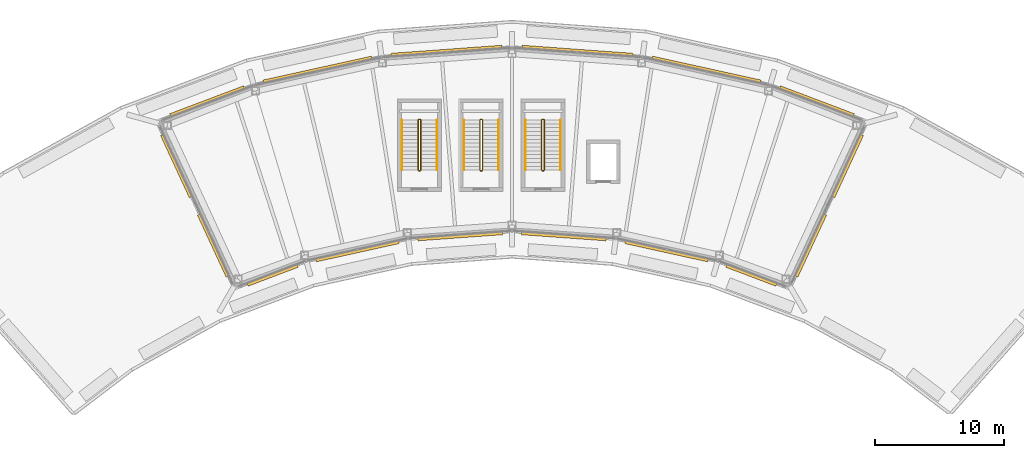
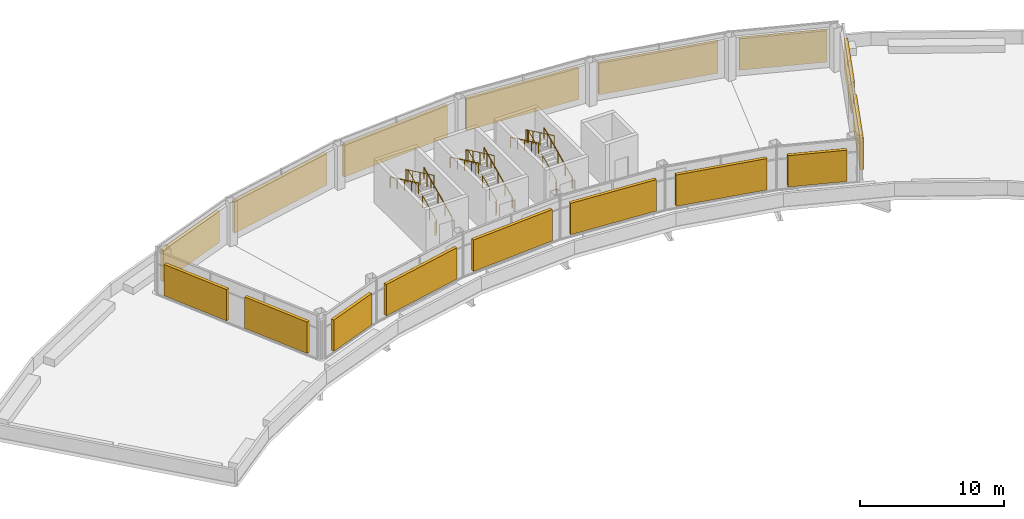
# One storey, part 8 of 9: 16 shading devices, 9 railings.
"""IFC4 building model written with IfcOpenShell, lengths in metres."""

import ifcopenshell
import ifcopenshell.guid

model = None  # the IFC model being written
_history = None  # IfcOwnerHistory: only IFC2X3 demands one
_inside = {}  # id of a spatial element -> (the spatial element, [elements in it])
_under = {}  # id of a project, library or spatial element -> (it, [spatial elements below it])
_declared = {}  # id of a project -> (the project, [libraries it declares])
_typed = {}  # id of a type object -> (the type object, [elements of that type])
_made_of = {}  # id of a material, layer set ... -> (it, [elements and type objects made of it])


def new_model(schema):
    """Start an empty IFC model of exactly this schema.

    Asked for "IFC4X3", IfcOpenShell would pick the latest addendum, in which some entities
    have other attributes; the version numbers below select the first issue.
    IFC2X3 requires an IfcOwnerHistory on every rooted entity: one is made here for all.
    """
    global model, _history
    if schema == "IFC4X3":
        model = ifcopenshell.file(schema_version=(4, 3, 0, 0))
    else:
        model = ifcopenshell.file(schema=schema)
    _inside.clear()
    _under.clear()
    _declared.clear()
    _typed.clear()
    _made_of.clear()
    _history = None
    if model.schema == "IFC2X3":
        org = make("IfcOrganization", Name="unknown")
        user = make(
            "IfcPersonAndOrganization",
            ThePerson=make("IfcPerson", FamilyName="unknown"),
            TheOrganization=org,
        )
        app = make(
            "IfcApplication",
            ApplicationDeveloper=org,
            Version="unknown",
            ApplicationFullName="unknown",
            ApplicationIdentifier="unknown",
        )
        _history = make(
            "IfcOwnerHistory",
            OwningUser=user,
            OwningApplication=app,
            ChangeAction="ADDED",
            CreationDate=0,
        )
    return model


def make(cls, **values):
    """One entity of the class cls with the attributes given. An attribute that is None is left unset."""
    return model.create_entity(
        cls, **{name: value for name, value in values.items() if value is not None}
    )


def rooted(cls, **values):
    """An entity with a GlobalId (a new one), such as an element, a storey or a relation."""
    return make(cls, GlobalId=ifcopenshell.guid.new(), OwnerHistory=_history, **values)


def si_unit(unit_type, name, prefix=None):
    """IfcSIUnit, for example si_unit("LENGTHUNIT", "METRE", prefix="MILLI")."""
    return make("IfcSIUnit", UnitType=unit_type, Prefix=prefix, Name=name)


def assignment(units):
    """IfcUnitAssignment: the units of a project."""
    return None if units is None else make("IfcUnitAssignment", Units=units)


def point(xyz):
    """IfcCartesianPoint."""
    return None if xyz is None else make("IfcCartesianPoint", Coordinates=xyz)


def direction(xyz):
    """IfcDirection."""
    return None if xyz is None else make("IfcDirection", DirectionRatios=xyz)


def frame(location, z_axis=None, x_axis=None):
    """IfcAxis2Placement3D, a coordinate frame: its origin and axes. An axis left out is left unset."""
    return make(
        "IfcAxis2Placement3D",
        Location=point(location),
        Axis=direction(z_axis),
        RefDirection=direction(x_axis),
    )


def frame_2d(location, x_axis=None):
    """IfcAxis2Placement2D, a coordinate frame in the plane: its origin and x axis."""
    return make(
        "IfcAxis2Placement2D", Location=point(location), RefDirection=direction(x_axis)
    )


def origin():
    """The frame at (0, 0, 0) with its axes left unset."""
    return frame((0.0, 0.0, 0.0))


def origin_2d():
    """The frame at (0, 0) in the plane with its x axis left unset."""
    return frame_2d((0.0, 0.0))


def place(relative_to, where):
    """IfcLocalPlacement: puts the frame where relative to a parent placement (None: the world)."""
    return make(
        "IfcLocalPlacement", PlacementRelTo=relative_to, RelativePlacement=where
    )


def context(
    kind, dimensions, precision=None, world=None, true_north=None, identifier=None
):
    """IfcGeometricRepresentationContext, for example the 3D "Model" context."""
    return make(
        "IfcGeometricRepresentationContext",
        ContextIdentifier=identifier,
        ContextType=kind,
        CoordinateSpaceDimension=dimensions,
        Precision=precision,
        WorldCoordinateSystem=world,
        TrueNorth=true_north,
    )


def subcontext(parent, identifier, kind, view, scale=None):
    """IfcGeometricRepresentationSubContext, for example "Body" below "Model"."""
    return make(
        "IfcGeometricRepresentationSubContext",
        ContextIdentifier=identifier,
        ContextType=kind,
        ParentContext=parent,
        TargetScale=scale,
        TargetView=view,
    )


def project(units=None, contexts=None):
    """IfcProject with its units and contexts."""
    return rooted(
        "IfcProject",
        Name="project",
        RepresentationContexts=contexts,
        UnitsInContext=assignment(units),
    )


def spatial(cls, under=None, at=None, **own):
    """A site, building, storey or space (cls), placed at a placement, below another one or the project."""
    s = rooted(cls, ObjectPlacement=at, **own)
    if under is not None:
        _under.setdefault(under.id(), (under, []))[1].append(s)
    return s


def profile(cls, at=None, kind="AREA", **sizes):
    """A parametric profile (cls). Its sizes go by their IFC names, for example OverallWidth=200.0."""
    return make(cls, ProfileType=kind, Position=at, **sizes)


def rectangle(**sizes):
    """IfcRectangleProfileDef."""
    return profile("IfcRectangleProfileDef", **sizes)


def circle(**sizes):
    """IfcCircleProfileDef."""
    return profile("IfcCircleProfileDef", **sizes)


def extrude(swept, where, along, depth):
    """IfcExtrudedAreaSolid: the profile swept, set in the frame where, extruded along a direction by depth."""
    return make(
        "IfcExtrudedAreaSolid",
        SweptArea=swept,
        Position=where,
        ExtrudedDirection=direction(along),
        Depth=depth,
    )


def shape(context_of_items, identifier, shape_type, items):
    """IfcShapeRepresentation: the items that make up one representation, for example the "Body"."""
    return make(
        "IfcShapeRepresentation",
        ContextOfItems=context_of_items,
        RepresentationIdentifier=identifier,
        RepresentationType=shape_type,
        Items=items,
    )


def material(Name=None, Category=None):
    """IfcMaterial."""
    return make("IfcMaterial", Name=Name, Category=Category)


def made_of(thing, what):
    """Note that an element or type object is made of a material, layer set ...; save() writes the relation."""
    if what is not None:
        _made_of.setdefault(what.id(), (what, []))[1].append(thing)
    return thing


def type_object(cls, material=None, **own):
    """A type object (cls), such as IfcWallType, which elements share."""
    return made_of(rooted(cls, **own), material)


def element(
    cls,
    number,
    at=None,
    inside=None,
    cuts=None,
    type_object=None,
    material=None,
    context=None,
    identifier="Body",
    shape_type=None,
    held_by="IfcProductDefinitionShape",
    body=None,
    shapes=None,
    **own,
):
    """One element of the class cls, such as IfcWall. Its Tag is "e" and its number.

    at: its placement. inside: the storey or other place that contains it. cuts: it is an
    opening in that element (IfcRelVoidsElement). A single representation is given by context,
    identifier, shape_type and body (its items); several are given by shapes. held_by: the class
    of the entity that holds the representations. save() writes the other relations.
    """
    e = rooted(cls, Tag="e%d" % number, ObjectPlacement=at, **own)
    if body is not None:
        shapes = [shape(context, identifier, shape_type, body)]
    if shapes is not None:
        e.Representation = make(held_by, Representations=shapes)
    if inside is not None:
        _inside.setdefault(inside.id(), (inside, []))[1].append(e)
    if cuts is not None:
        rooted(
            "IfcRelVoidsElement", RelatingBuildingElement=cuts, RelatedOpeningElement=e
        )
    if type_object is not None:
        _typed.setdefault(type_object.id(), (type_object, []))[1].append(e)
    return made_of(e, material)


def aggregate(whole, parts):
    """IfcRelAggregates: a whole, such as a stair, and the parts it consists of."""
    return rooted("IfcRelAggregates", RelatingObject=whole, RelatedObjects=parts)


def save(model, path):
    """Write the relations noted so far, then the file.

    IfcRelAggregates (storeys below a building ...), IfcRelContainedInSpatialStructure (elements
    in a storey), IfcRelDefinesByType, IfcRelAssociatesMaterial and IfcRelDeclares: one each for
    every whole, place, type object, material and project.
    """
    for whole, parts in _under.values():
        aggregate(whole, parts)
    for where, things in _inside.values():
        rooted(
            "IfcRelContainedInSpatialStructure",
            RelatedElements=things,
            RelatingStructure=where,
        )
    for kind, things in _typed.values():
        rooted("IfcRelDefinesByType", RelatedObjects=things, RelatingType=kind)
    for what, things in _made_of.values():
        rooted("IfcRelAssociatesMaterial", RelatedObjects=things, RelatingMaterial=what)
    for by, libraries in _declared.values():
        rooted("IfcRelDeclares", RelatingContext=by, RelatedDefinitions=libraries)
    model.write(path)


model = new_model("IFC4")

# Units and contexts
model_context = context("Model", 3, precision=1e-05, world=origin(), true_north=direction((0.0, 1.0)))
body_context = subcontext(model_context, "Body", "Model", "MODEL_VIEW")
ifc_project = project(units=[si_unit("LENGTHUNIT", "METRE"), si_unit("AREAUNIT", "SQUARE_METRE"), si_unit("VOLUMEUNIT", "CUBIC_METRE"), si_unit("PLANEANGLEUNIT", "RADIAN"), si_unit("MASSUNIT", "GRAM", prefix="KILO")], contexts=[model_context])

# Site, building, storey
site_placement = place(None, origin())
site = spatial("IfcSite", under=ifc_project, at=site_placement, CompositionType="ELEMENT")
building_placement = place(site_placement, origin())
building = spatial("IfcBuilding", under=site, at=building_placement, Name="Tuul Gate Civic Tower", CompositionType="ELEMENT")
storey_placement = place(building_placement, frame((0.0, 0.0, 368.10009765625)))
storey = spatial("IfcBuildingStorey", under=building, at=storey_placement, Name="Crown tier 2 lower", CompositionType="ELEMENT", Elevation=368.10009765625)

# Shading devices
ifc_material_1 = material(Name="Aluminium louvre", Category="aluminium")
shading_device_type = type_object("IfcShadingDeviceType", Name="Louvre panel", PredefinedType="USERDEFINED", material=ifc_material_1)
shading_device_1_placement = place(storey_placement, frame((25.8916015625, 6.10498046875, 0.300048828125), z_axis=(0.0, 0.0, 1.0), x_axis=(0.353645993643, 0.935379340792, 0.0)))
element("IfcShadingDevice", 1, at=shading_device_1_placement, inside=storey, type_object=shading_device_type, Name="Louvre panel", ObjectType="LOUVRE", PredefinedType="USERDEFINED", context=body_context, shape_type="SweptSolid", body=[
    extrude(rectangle(XDim=0.25, YDim=6.14990234375, at=origin_2d()), origin(), (0.0, 0.0, 1.0), 2.64990234375),
])
for number, where, z_axis, x_axis, name in (
    (2, (17.31787109375, 8.5625, 0.300048828125), (0.0, 0.0, 1.0), (0.215210934562, 0.976567587853, 0.0), "Louvre panel"),
    (3, (7.26953125, 10.025634765625, 0.300048828125), (0.0, 0.0, 1.0), (0.072218938697, 0.997388803273, 0.0), "Louvre panel"),
    (4, (-2.885498046875, 10.025634765625, 0.300048828125), (0.0, 0.0, 1.0), (-0.072218938697, 0.997388803273, 0.0), "Louvre panel"),
    (5, (-12.933837890625, 8.5625, 0.300048828125), (0.0, 0.0, 1.0), (-0.215210934562, 0.976567587853, 0.0), "Louvre panel"),
):
    element("IfcShadingDevice", number, at=place(storey_placement, frame(where, z_axis=z_axis, x_axis=x_axis)), inside=storey, type_object=shading_device_type, Name=name, ObjectType="LOUVRE", PredefinedType="USERDEFINED", context=body_context, shape_type="SweptSolid", body=[
        extrude(rectangle(XDim=0.25, YDim=8.64990234375, at=origin_2d()), origin(), (0.0, 0.0, 1.0), 2.64990234375),
    ])
shading_device_2_placement = place(storey_placement, frame((-21.5078125, 6.10498046875, 0.300048828125), z_axis=(0.0, 0.0, 1.0), x_axis=(-0.353645993643, 0.935379340792, 0.0)))
element("IfcShadingDevice", 6, at=shading_device_2_placement, inside=storey, type_object=shading_device_type, Name="Louvre panel", ObjectType="LOUVRE", PredefinedType="USERDEFINED", context=body_context, shape_type="SweptSolid", body=[
    extrude(rectangle(XDim=0.25, YDim=6.14990234375, at=origin_2d()), origin(), (0.0, 0.0, 1.0), 2.64990234375),
])
for number, where, z_axis, x_axis, name in (
    (7, (-23.904296875, 1.076416015625, 0.300048828125), (0.0, 0.0, 1.0), (-0.90734881659, -0.420378549682, 0.0), "Louvre panel"),
    (8, (-21.038330078125, -5.109619140625, 0.300048828125), (0.0, 0.0, 1.0), (-0.90734881659, -0.420378549682, 0.0), "Louvre panel"),
):
    element("IfcShadingDevice", number, at=place(storey_placement, frame(where, z_axis=z_axis, x_axis=x_axis)), inside=storey, type_object=shading_device_type, Name=name, ObjectType="LOUVRE", PredefinedType="USERDEFINED", context=body_context, shape_type="SweptSolid", body=[
        extrude(rectangle(XDim=0.25, YDim=5.300048828125, at=origin_2d()), origin(), (0.0, 0.0, 1.0), 2.64990234375),
    ])
shading_device_3_placement = place(storey_placement, frame((-16.417236328125, -7.4189453125, 0.300048828125), z_axis=(0.0, 0.0, 1.0), x_axis=(0.353692000454, -0.935361945353, 0.0)))
element("IfcShadingDevice", 9, at=shading_device_3_placement, inside=storey, type_object=shading_device_type, Name="Louvre panel", ObjectType="LOUVRE", PredefinedType="USERDEFINED", context=body_context, shape_type="SweptSolid", body=[
    extrude(rectangle(XDim=0.25, YDim=4.14990234375, at=origin_2d()), origin(), (0.0, 0.0, 1.0), 2.64990234375),
])
for number, where, z_axis, x_axis, name in (
    (10, (-9.823974609375, -5.548583984375, 0.300048828125), (0.0, 0.0, 1.0), (0.215271253351, -0.976554293156, 0.0), "Louvre panel"),
    (11, (-1.841552734375, -4.38623046875, 0.300048828125), (0.0, 0.0, 1.0), (0.072167548057, -0.997392523036, 0.0), "Louvre panel"),
    (12, (6.2255859375, -4.38623046875, 0.300048828125), (0.0, 0.0, 1.0), (-0.072167548057, -0.997392523036, 0.0), "Louvre panel"),
    (13, (14.2080078125, -5.548583984375, 0.300048828125), (0.0, 0.0, 1.0), (-0.215271253351, -0.976554293156, 0.0), "Louvre panel"),
):
    element("IfcShadingDevice", number, at=place(storey_placement, frame(where, z_axis=z_axis, x_axis=x_axis)), inside=storey, type_object=shading_device_type, Name=name, ObjectType="LOUVRE", PredefinedType="USERDEFINED", context=body_context, shape_type="SweptSolid", body=[
        extrude(rectangle(XDim=0.25, YDim=6.60009765625, at=origin_2d()), origin(), (0.0, 0.0, 1.0), 2.64990234375),
    ])
shading_device_4_placement = place(storey_placement, frame((20.80126953125, -7.4189453125, 0.300048828125), z_axis=(0.0, 0.0, 1.0), x_axis=(-0.353692000454, -0.935361945353, 0.0)))
element("IfcShadingDevice", 14, at=shading_device_4_placement, inside=storey, type_object=shading_device_type, Name="Louvre panel", ObjectType="LOUVRE", PredefinedType="USERDEFINED", context=body_context, shape_type="SweptSolid", body=[
    extrude(rectangle(XDim=0.25, YDim=4.14990234375, at=origin_2d()), origin(), (0.0, 0.0, 1.0), 2.64990234375),
])
for number, where, z_axis, x_axis, name in (
    (15, (25.42236328125, -5.109619140625, 0.300048828125), (0.0, 0.0, 1.0), (0.90734881659, -0.420378549682, 0.0), "Louvre panel"),
    (16, (28.288330078125, 1.076416015625, 0.300048828125), (0.0, 0.0, 1.0), (0.90734881659, -0.420378549682, 0.0), "Louvre panel"),
):
    element("IfcShadingDevice", number, at=place(storey_placement, frame(where, z_axis=z_axis, x_axis=x_axis)), inside=storey, type_object=shading_device_type, Name=name, ObjectType="LOUVRE", PredefinedType="USERDEFINED", context=body_context, shape_type="SweptSolid", body=[
        extrude(rectangle(XDim=0.25, YDim=5.300048828125, at=origin_2d()), origin(), (0.0, 0.0, 1.0), 2.64990234375),
    ])

# Railings
ifc_material_2 = material(Name="Painted steel", Category="steel")
railing_type_1 = type_object("IfcRailingType", Name="Stair guard", PredefinedType="GUARDRAIL", material=ifc_material_2)
railing_1_placement = place(storey_placement, frame((-4.949951171875, 0.699951171875, 0.0)))
element("IfcRailing", 17, at=railing_1_placement, inside=storey, type_object=railing_type_1, Name="Crown tier 2 lower ST-5 stair guard 1", PredefinedType="GUARDRAIL", context=body_context, shape_type="SweptSolid", body=[
    extrude(circle(Radius=0.02392578125, at=origin_2d()), frame((0.0, 0.0, 1.076171875), z_axis=(-1.0, 0.0, 0.0), x_axis=(0.0, -1.0, 0.0)), (0.0, 0.0, 1.0), 0.10009765625),
    extrude(circle(Radius=0.02392578125, at=origin_2d()), frame((-0.10009765625, 0.0, 1.076171875), z_axis=(0.704307497325, 0.234769165775, 0.669951034041), x_axis=(-0.316227766017, 0.948683298051, 0.0)), (0.0, 0.0, 1.0), 0.213134765625),
    extrude(circle(Radius=0.02392578125, at=origin_2d()), frame((0.050048828125, 0.050048828125, 1.21875), z_axis=(0.0, 0.902853205547, 0.429948937937), x_axis=(-1.0, 0.0, 0.0)), (0.0, 0.0, 1.0), 4.319580078125),
    extrude(circle(Radius=0.02392578125, at=origin_2d()), frame((0.050048828125, 3.949951171875, 3.076171875), z_axis=(-0.707106781187, 0.707106781187, 0.0), x_axis=(-0.707106781187, -0.707106781187, 0.0)), (0.0, 0.0, 1.0), 0.07080078125),
    extrude(circle(Radius=0.02392578125, at=origin_2d()), frame((0.0, 4.0, 3.076171875), z_axis=(-1.0, 0.0, 0.0), x_axis=(0.0, -1.0, 0.0)), (0.0, 0.0, 1.0), 0.10009765625),
    extrude(circle(Radius=0.02392578125, at=origin_2d()), frame((-0.10009765625, 4.0, 3.076171875), z_axis=(-0.313985020601, -0.313985020601, 0.896006034397), x_axis=(0.707106781187, -0.707106781187, 0.0)), (0.0, 0.0, 1.0), 0.159423828125),
    extrude(circle(Radius=0.02392578125, at=origin_2d()), frame((-0.150146484375, 3.949951171875, 3.21875), z_axis=(0.0, -0.902853205547, 0.429948937937), x_axis=(1.0, 0.0, 0.0)), (0.0, 0.0, 1.0), 4.319580078125),
    extrude(circle(Radius=0.02099609375, at=origin_2d()), origin(), (0.0, 0.0, 1.0), 1.052001953125),
    extrude(circle(Radius=0.02099609375, at=origin_2d()), frame((-0.10009765625, 0.0, 0.0)), (0.0, 0.0, 1.0), 1.052001953125),
    extrude(circle(Radius=0.02099609375, at=origin_2d()), frame((0.050048828125, 0.050048828125, 0.142822265625)), (0.0, 0.0, 1.0), 1.052001953125),
    extrude(circle(Radius=0.02099609375, at=origin_2d()), frame((0.050048828125, 1.02490234375, 0.607177734375)), (0.0, 0.0, 1.0), 1.052001953125),
    extrude(circle(Radius=0.02099609375, at=origin_2d()), frame((0.050048828125, 2.0, 1.0712890625)), (0.0, 0.0, 1.0), 1.052001953125),
    extrude(circle(Radius=0.02099609375, at=origin_2d()), frame((0.050048828125, 2.97509765625, 1.53564453125)), (0.0, 0.0, 1.0), 1.052001953125),
    extrude(circle(Radius=0.02099609375, at=origin_2d()), frame((0.050048828125, 3.949951171875, 2.0)), (0.0, 0.0, 1.0), 1.052001953125),
    extrude(circle(Radius=0.02099609375, at=origin_2d()), frame((0.0, 4.0, 2.0)), (0.0, 0.0, 1.0), 1.052001953125),
    extrude(circle(Radius=0.02099609375, at=origin_2d()), frame((-0.10009765625, 4.0, 2.0)), (0.0, 0.0, 1.0), 1.052001953125),
    extrude(circle(Radius=0.02099609375, at=origin_2d()), frame((-0.150146484375, 3.949951171875, 2.142822265625)), (0.0, 0.0, 1.0), 1.052001953125),
    extrude(circle(Radius=0.02099609375, at=origin_2d()), frame((-0.150146484375, 2.97509765625, 2.607177734375)), (0.0, 0.0, 1.0), 1.052001953125),
    extrude(circle(Radius=0.02099609375, at=origin_2d()), frame((-0.150146484375, 2.0, 3.0712890625)), (0.0, 0.0, 1.0), 1.052001953125),
    extrude(circle(Radius=0.02099609375, at=origin_2d()), frame((-0.150146484375, 1.02490234375, 3.53564453125)), (0.0, 0.0, 1.0), 1.052001953125),
    extrude(circle(Radius=0.02099609375, at=origin_2d()), frame((-0.150146484375, 0.050048828125, 4.0)), (0.0, 0.0, 1.0), 1.052001953125),
])
railing_2_placement = place(storey_placement, frame((-0.14990234375, 0.699951171875, 0.0)))
element("IfcRailing", 18, at=railing_2_placement, inside=storey, type_object=railing_type_1, Name="Crown tier 2 lower ST-6 stair guard 1", PredefinedType="GUARDRAIL", context=body_context, shape_type="SweptSolid", body=[
    extrude(circle(Radius=0.02392578125, at=origin_2d()), frame((0.0, 0.0, 1.076171875), z_axis=(-1.0, 0.0, 0.0), x_axis=(0.0, -1.0, 0.0)), (0.0, 0.0, 1.0), 0.10009765625),
    extrude(circle(Radius=0.02392578125, at=origin_2d()), frame((-0.10009765625, 0.0, 1.076171875), z_axis=(0.703729666097, 0.234958601873, 0.670491619978), x_axis=(-0.316691178788, 0.948528701346, 0.0)), (0.0, 0.0, 1.0), 0.212890625),
    extrude(circle(Radius=0.02392578125, at=origin_2d()), frame((0.0498046875, 0.050048828125, 1.21875), z_axis=(0.0, 0.902853205547, 0.429948937937), x_axis=(-1.0, 0.0, 0.0)), (0.0, 0.0, 1.0), 4.319580078125),
    extrude(circle(Radius=0.02392578125, at=origin_2d()), frame((0.0498046875, 3.949951171875, 3.076171875), z_axis=(-0.705375805398, 0.708833529934, 0.0), x_axis=(-0.708833529934, -0.705375805398, 0.0)), (0.0, 0.0, 1.0), 0.070556640625),
    extrude(circle(Radius=0.02392578125, at=origin_2d()), frame((0.0, 4.0, 3.076171875), z_axis=(-1.0, 0.0, 0.0), x_axis=(0.0, -1.0, 0.0)), (0.0, 0.0, 1.0), 0.10009765625),
    extrude(circle(Radius=0.02392578125, at=origin_2d()), frame((-0.10009765625, 4.0, 3.076171875), z_axis=(-0.313985020601, -0.313985020601, 0.896006034397), x_axis=(0.707106781187, -0.707106781187, 0.0)), (0.0, 0.0, 1.0), 0.159423828125),
    extrude(circle(Radius=0.02392578125, at=origin_2d()), frame((-0.150146484375, 3.949951171875, 3.21875), z_axis=(0.0, -0.902853205547, 0.429948937937), x_axis=(1.0, 0.0, 0.0)), (0.0, 0.0, 1.0), 4.319580078125),
    extrude(circle(Radius=0.02099609375, at=origin_2d()), origin(), (0.0, 0.0, 1.0), 1.052001953125),
    extrude(circle(Radius=0.02099609375, at=origin_2d()), frame((-0.10009765625, 0.0, 0.0)), (0.0, 0.0, 1.0), 1.052001953125),
    extrude(circle(Radius=0.02099609375, at=origin_2d()), frame((0.0498046875, 0.050048828125, 0.142822265625)), (0.0, 0.0, 1.0), 1.052001953125),
    extrude(circle(Radius=0.02099609375, at=origin_2d()), frame((0.0498046875, 1.02490234375, 0.607177734375)), (0.0, 0.0, 1.0), 1.052001953125),
    extrude(circle(Radius=0.02099609375, at=origin_2d()), frame((0.0498046875, 2.0, 1.0712890625)), (0.0, 0.0, 1.0), 1.052001953125),
    extrude(circle(Radius=0.02099609375, at=origin_2d()), frame((0.0498046875, 2.97509765625, 1.53564453125)), (0.0, 0.0, 1.0), 1.052001953125),
    extrude(circle(Radius=0.02099609375, at=origin_2d()), frame((0.0498046875, 3.949951171875, 2.0)), (0.0, 0.0, 1.0), 1.052001953125),
    extrude(circle(Radius=0.02099609375, at=origin_2d()), frame((0.0, 4.0, 2.0)), (0.0, 0.0, 1.0), 1.052001953125),
    extrude(circle(Radius=0.02099609375, at=origin_2d()), frame((-0.10009765625, 4.0, 2.0)), (0.0, 0.0, 1.0), 1.052001953125),
    extrude(circle(Radius=0.02099609375, at=origin_2d()), frame((-0.150146484375, 3.949951171875, 2.142822265625)), (0.0, 0.0, 1.0), 1.052001953125),
    extrude(circle(Radius=0.02099609375, at=origin_2d()), frame((-0.150146484375, 2.97509765625, 2.607177734375)), (0.0, 0.0, 1.0), 1.052001953125),
    extrude(circle(Radius=0.02099609375, at=origin_2d()), frame((-0.150146484375, 2.0, 3.0712890625)), (0.0, 0.0, 1.0), 1.052001953125),
    extrude(circle(Radius=0.02099609375, at=origin_2d()), frame((-0.150146484375, 1.02490234375, 3.53564453125)), (0.0, 0.0, 1.0), 1.052001953125),
    extrude(circle(Radius=0.02099609375, at=origin_2d()), frame((-0.150146484375, 0.050048828125, 4.0)), (0.0, 0.0, 1.0), 1.052001953125),
])
railing_3_placement = place(storey_placement, frame((4.64990234375, 0.699951171875, 0.0)))
element("IfcRailing", 19, at=railing_3_placement, inside=storey, type_object=railing_type_1, Name="Crown tier 2 lower ST-7 stair guard 1", PredefinedType="GUARDRAIL", context=body_context, shape_type="SweptSolid", body=[
    extrude(circle(Radius=0.02392578125, at=origin_2d()), frame((0.0, 0.0, 1.076171875), z_axis=(-1.0, 0.0, 0.0), x_axis=(0.0, -1.0, 0.0)), (0.0, 0.0, 1.0), 0.099853515625),
    extrude(circle(Radius=0.02392578125, at=origin_2d()), frame((-0.099853515625, 0.0, 1.076171875), z_axis=(0.703729666097, 0.234958601873, 0.670491619978), x_axis=(-0.316691178788, 0.948528701346, 0.0)), (0.0, 0.0, 1.0), 0.212890625),
    extrude(circle(Radius=0.02392578125, at=origin_2d()), frame((0.050048828125, 0.050048828125, 1.21875), z_axis=(0.0, 0.902853205547, 0.429948937937), x_axis=(-1.0, 0.0, 0.0)), (0.0, 0.0, 1.0), 4.319580078125),
    extrude(circle(Radius=0.02392578125, at=origin_2d()), frame((0.050048828125, 3.949951171875, 3.076171875), z_axis=(-0.707106781187, 0.707106781187, 0.0), x_axis=(-0.707106781187, -0.707106781187, 0.0)), (0.0, 0.0, 1.0), 0.07080078125),
    extrude(circle(Radius=0.02392578125, at=origin_2d()), frame((0.0, 4.0, 3.076171875), z_axis=(-1.0, 0.0, 0.0), x_axis=(0.0, -1.0, 0.0)), (0.0, 0.0, 1.0), 0.099853515625),
    extrude(circle(Radius=0.02392578125, at=origin_2d()), frame((-0.099853515625, 4.0, 3.076171875), z_axis=(-0.313985020601, -0.313985020601, 0.896006034397), x_axis=(0.707106781187, -0.707106781187, 0.0)), (0.0, 0.0, 1.0), 0.159423828125),
    extrude(circle(Radius=0.02392578125, at=origin_2d()), frame((-0.14990234375, 3.949951171875, 3.21875), z_axis=(0.0, -0.902853205547, 0.429948937937), x_axis=(1.0, 0.0, 0.0)), (0.0, 0.0, 1.0), 4.319580078125),
    extrude(circle(Radius=0.02099609375, at=origin_2d()), origin(), (0.0, 0.0, 1.0), 1.052001953125),
    extrude(circle(Radius=0.02099609375, at=origin_2d()), frame((-0.099853515625, 0.0, 0.0)), (0.0, 0.0, 1.0), 1.052001953125),
    extrude(circle(Radius=0.02099609375, at=origin_2d()), frame((0.050048828125, 0.050048828125, 0.142822265625)), (0.0, 0.0, 1.0), 1.052001953125),
    extrude(circle(Radius=0.02099609375, at=origin_2d()), frame((0.050048828125, 1.02490234375, 0.607177734375)), (0.0, 0.0, 1.0), 1.052001953125),
    extrude(circle(Radius=0.02099609375, at=origin_2d()), frame((0.050048828125, 2.0, 1.0712890625)), (0.0, 0.0, 1.0), 1.052001953125),
    extrude(circle(Radius=0.02099609375, at=origin_2d()), frame((0.050048828125, 2.97509765625, 1.53564453125)), (0.0, 0.0, 1.0), 1.052001953125),
    extrude(circle(Radius=0.02099609375, at=origin_2d()), frame((0.050048828125, 3.949951171875, 2.0)), (0.0, 0.0, 1.0), 1.052001953125),
    extrude(circle(Radius=0.02099609375, at=origin_2d()), frame((0.0, 4.0, 2.0)), (0.0, 0.0, 1.0), 1.052001953125),
    extrude(circle(Radius=0.02099609375, at=origin_2d()), frame((-0.099853515625, 4.0, 2.0)), (0.0, 0.0, 1.0), 1.052001953125),
    extrude(circle(Radius=0.02099609375, at=origin_2d()), frame((-0.14990234375, 3.949951171875, 2.142822265625)), (0.0, 0.0, 1.0), 1.052001953125),
    extrude(circle(Radius=0.02099609375, at=origin_2d()), frame((-0.14990234375, 2.97509765625, 2.607177734375)), (0.0, 0.0, 1.0), 1.052001953125),
    extrude(circle(Radius=0.02099609375, at=origin_2d()), frame((-0.14990234375, 2.0, 3.0712890625)), (0.0, 0.0, 1.0), 1.052001953125),
    extrude(circle(Radius=0.02099609375, at=origin_2d()), frame((-0.14990234375, 1.02490234375, 3.53564453125)), (0.0, 0.0, 1.0), 1.052001953125),
    extrude(circle(Radius=0.02099609375, at=origin_2d()), frame((-0.14990234375, 0.050048828125, 4.0)), (0.0, 0.0, 1.0), 1.052001953125),
])
ifc_material_3 = material(Name="Painted steel", Category="steel")
railing_type_2 = type_object("IfcRailingType", Name="Stair handrail", PredefinedType="HANDRAIL", material=ifc_material_3)
railing_4_placement = place(storey_placement, frame((-3.64990234375, 0.75, 0.142822265625)))
element("IfcRailing", 20, at=railing_4_placement, inside=storey, type_object=railing_type_2, Name="Crown tier 2 lower ST-5 stair handrail 1", PredefinedType="HANDRAIL", context=body_context, shape_type="SweptSolid", body=[
    extrude(circle(Radius=0.02392578125, at=origin_2d()), frame((0.0, 0.0, 0.8759765625), z_axis=(0.0, 0.902853205547, 0.429948937937), x_axis=(-1.0, 0.0, 0.0)), (0.0, 0.0, 1.0), 4.319580078125),
    extrude(circle(Radius=0.02099609375, at=origin_2d()), origin(), (0.0, 0.0, 1.0), 0.851806640625),
    extrude(circle(Radius=0.02099609375, at=origin_2d()), frame((0.0, 0.97509765625, 0.46435546875)), (0.0, 0.0, 1.0), 0.851806640625),
    extrude(circle(Radius=0.02099609375, at=origin_2d()), frame((0.0, 1.949951171875, 0.9287109375)), (0.0, 0.0, 1.0), 0.851806640625),
    extrude(circle(Radius=0.02099609375, at=origin_2d()), frame((0.0, 2.9248046875, 1.392822265625)), (0.0, 0.0, 1.0), 0.851806640625),
    extrude(circle(Radius=0.02099609375, at=origin_2d()), frame((0.0, 3.89990234375, 1.857177734375)), (0.0, 0.0, 1.0), 0.851806640625),
])
railing_5_placement = place(storey_placement, frame((-6.35009765625, 4.64990234375, 2.142822265625)))
element("IfcRailing", 21, at=railing_5_placement, inside=storey, type_object=railing_type_2, Name="Crown tier 2 lower ST-5 stair handrail 2", PredefinedType="HANDRAIL", context=body_context, shape_type="SweptSolid", body=[
    extrude(circle(Radius=0.02392578125, at=origin_2d()), frame((0.0, 0.0, 0.8759765625), z_axis=(0.0, -0.902853205547, 0.429948937937), x_axis=(1.0, 0.0, 0.0)), (0.0, 0.0, 1.0), 4.319580078125),
    extrude(circle(Radius=0.02099609375, at=origin_2d()), origin(), (0.0, 0.0, 1.0), 0.851806640625),
    extrude(circle(Radius=0.02099609375, at=origin_2d()), frame((0.0, -0.97509765625, 0.46435546875)), (0.0, 0.0, 1.0), 0.851806640625),
    extrude(circle(Radius=0.02099609375, at=origin_2d()), frame((0.0, -1.949951171875, 0.9287109375)), (0.0, 0.0, 1.0), 0.851806640625),
    extrude(circle(Radius=0.02099609375, at=origin_2d()), frame((0.0, -2.9248046875, 1.392822265625)), (0.0, 0.0, 1.0), 0.851806640625),
    extrude(circle(Radius=0.02099609375, at=origin_2d()), frame((0.0, -3.89990234375, 1.857177734375)), (0.0, 0.0, 1.0), 0.851806640625),
])
railing_6_placement = place(storey_placement, frame((1.14990234375, 0.75, 0.142822265625)))
element("IfcRailing", 22, at=railing_6_placement, inside=storey, type_object=railing_type_2, Name="Crown tier 2 lower ST-6 stair handrail 1", PredefinedType="HANDRAIL", context=body_context, shape_type="SweptSolid", body=[
    extrude(circle(Radius=0.02392578125, at=origin_2d()), frame((0.0, 0.0, 0.8759765625), z_axis=(0.0, 0.902853205547, 0.429948937937), x_axis=(-1.0, 0.0, 0.0)), (0.0, 0.0, 1.0), 4.319580078125),
    extrude(circle(Radius=0.02099609375, at=origin_2d()), origin(), (0.0, 0.0, 1.0), 0.851806640625),
    extrude(circle(Radius=0.02099609375, at=origin_2d()), frame((0.0, 0.97509765625, 0.46435546875)), (0.0, 0.0, 1.0), 0.851806640625),
    extrude(circle(Radius=0.02099609375, at=origin_2d()), frame((0.0, 1.949951171875, 0.9287109375)), (0.0, 0.0, 1.0), 0.851806640625),
    extrude(circle(Radius=0.02099609375, at=origin_2d()), frame((0.0, 2.9248046875, 1.392822265625)), (0.0, 0.0, 1.0), 0.851806640625),
    extrude(circle(Radius=0.02099609375, at=origin_2d()), frame((0.0, 3.89990234375, 1.857177734375)), (0.0, 0.0, 1.0), 0.851806640625),
])
railing_7_placement = place(storey_placement, frame((-1.550048828125, 4.64990234375, 2.142822265625)))
element("IfcRailing", 23, at=railing_7_placement, inside=storey, type_object=railing_type_2, Name="Crown tier 2 lower ST-6 stair handrail 2", PredefinedType="HANDRAIL", context=body_context, shape_type="SweptSolid", body=[
    extrude(circle(Radius=0.02392578125, at=origin_2d()), frame((0.0, 0.0, 0.8759765625), z_axis=(0.0, -0.902853205547, 0.429948937937), x_axis=(1.0, 0.0, 0.0)), (0.0, 0.0, 1.0), 4.319580078125),
    extrude(circle(Radius=0.02099609375, at=origin_2d()), origin(), (0.0, 0.0, 1.0), 0.851806640625),
    extrude(circle(Radius=0.02099609375, at=origin_2d()), frame((0.0, -0.97509765625, 0.46435546875)), (0.0, 0.0, 1.0), 0.851806640625),
    extrude(circle(Radius=0.02099609375, at=origin_2d()), frame((0.0, -1.949951171875, 0.9287109375)), (0.0, 0.0, 1.0), 0.851806640625),
    extrude(circle(Radius=0.02099609375, at=origin_2d()), frame((0.0, -2.9248046875, 1.392822265625)), (0.0, 0.0, 1.0), 0.851806640625),
    extrude(circle(Radius=0.02099609375, at=origin_2d()), frame((0.0, -3.89990234375, 1.857177734375)), (0.0, 0.0, 1.0), 0.851806640625),
])
railing_8_placement = place(storey_placement, frame((5.949951171875, 0.75, 0.142822265625)))
element("IfcRailing", 24, at=railing_8_placement, inside=storey, type_object=railing_type_2, Name="Crown tier 2 lower ST-7 stair handrail 1", PredefinedType="HANDRAIL", context=body_context, shape_type="SweptSolid", body=[
    extrude(circle(Radius=0.02392578125, at=origin_2d()), frame((0.0, 0.0, 0.8759765625), z_axis=(0.0, 0.902853205547, 0.429948937937), x_axis=(-1.0, 0.0, 0.0)), (0.0, 0.0, 1.0), 4.319580078125),
    extrude(circle(Radius=0.02099609375, at=origin_2d()), origin(), (0.0, 0.0, 1.0), 0.851806640625),
    extrude(circle(Radius=0.02099609375, at=origin_2d()), frame((0.0, 0.97509765625, 0.46435546875)), (0.0, 0.0, 1.0), 0.851806640625),
    extrude(circle(Radius=0.02099609375, at=origin_2d()), frame((0.0, 1.949951171875, 0.9287109375)), (0.0, 0.0, 1.0), 0.851806640625),
    extrude(circle(Radius=0.02099609375, at=origin_2d()), frame((0.0, 2.9248046875, 1.392822265625)), (0.0, 0.0, 1.0), 0.851806640625),
    extrude(circle(Radius=0.02099609375, at=origin_2d()), frame((0.0, 3.89990234375, 1.857177734375)), (0.0, 0.0, 1.0), 0.851806640625),
])
railing_9_placement = place(storey_placement, frame((3.25, 4.64990234375, 2.142822265625)))
element("IfcRailing", 25, at=railing_9_placement, inside=storey, type_object=railing_type_2, Name="Crown tier 2 lower ST-7 stair handrail 2", PredefinedType="HANDRAIL", context=body_context, shape_type="SweptSolid", body=[
    extrude(circle(Radius=0.02392578125, at=origin_2d()), frame((0.0, 0.0, 0.8759765625), z_axis=(0.0, -0.902853205547, 0.429948937937), x_axis=(1.0, 0.0, 0.0)), (0.0, 0.0, 1.0), 4.319580078125),
    extrude(circle(Radius=0.02099609375, at=origin_2d()), origin(), (0.0, 0.0, 1.0), 0.851806640625),
    extrude(circle(Radius=0.02099609375, at=origin_2d()), frame((0.0, -0.97509765625, 0.46435546875)), (0.0, 0.0, 1.0), 0.851806640625),
    extrude(circle(Radius=0.02099609375, at=origin_2d()), frame((0.0, -1.949951171875, 0.9287109375)), (0.0, 0.0, 1.0), 0.851806640625),
    extrude(circle(Radius=0.02099609375, at=origin_2d()), frame((0.0, -2.9248046875, 1.392822265625)), (0.0, 0.0, 1.0), 0.851806640625),
    extrude(circle(Radius=0.02099609375, at=origin_2d()), frame((0.0, -3.89990234375, 1.857177734375)), (0.0, 0.0, 1.0), 0.851806640625),
])

save(model, "model.ifc")
